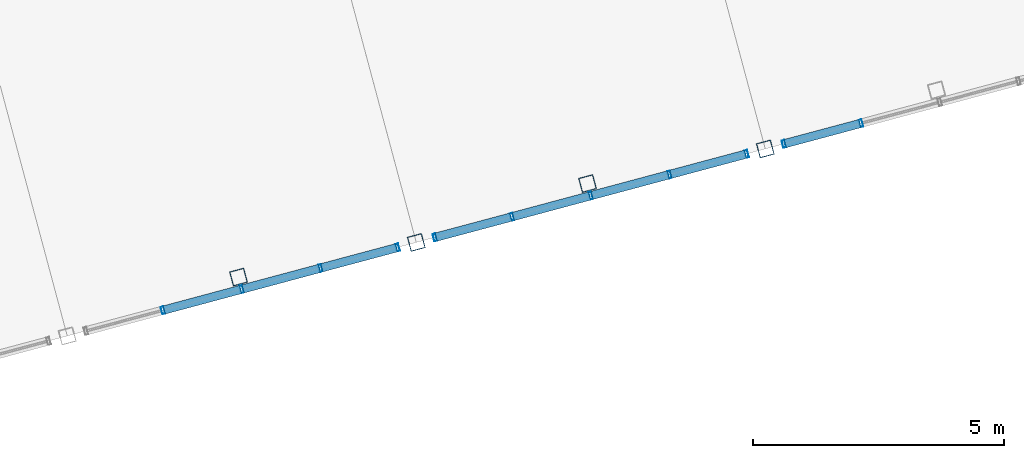
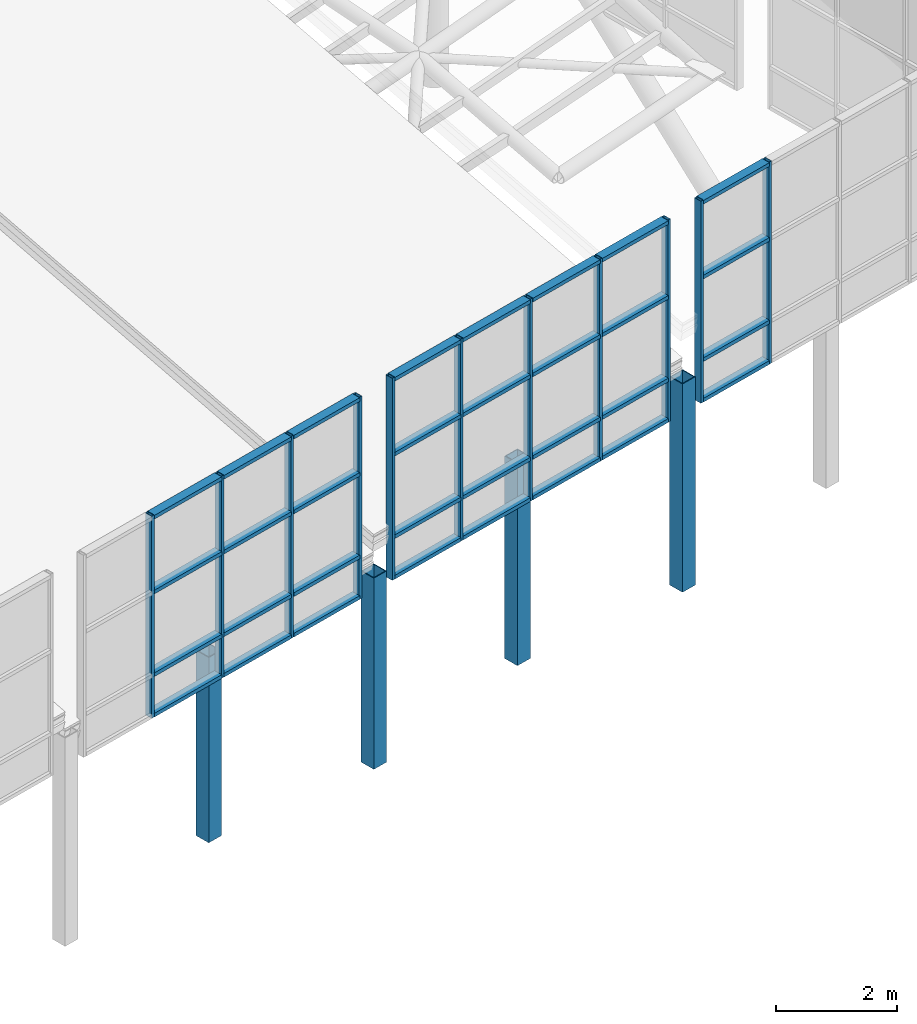
# One storey, part 13 of 28: 47 members, 3 elements without a shape of their own.
"""IFC4 building model written with IfcOpenShell, lengths in metres."""

from ifc_helpers import new_model, si_unit, direction, frame, origin, origin_2d, place, context, subcontext, project, spatial, hollow_rectangle, extrude, material, layer, layer_set, material_profile, profile_set, type_object, element, aggregate, save


model = new_model("IFC4")

# Units and contexts
model_context = context("Model", 3, precision=1e-05, world=origin(), true_north=direction((0.0, 1.0)))
body_context = subcontext(model_context, "Body", "Model", "MODEL_VIEW")
ifc_project = project(units=[si_unit("LENGTHUNIT", "METRE"), si_unit("AREAUNIT", "SQUARE_METRE"), si_unit("VOLUMEUNIT", "CUBIC_METRE"), si_unit("PLANEANGLEUNIT", "RADIAN"), si_unit("MASSUNIT", "GRAM", prefix="KILO")], contexts=[model_context])

# Site, building, storey
site_placement = place(None, origin())
site = spatial("IfcSite", under=ifc_project, at=site_placement, CompositionType="ELEMENT")
building_placement = place(site_placement, origin())
building = spatial("IfcBuilding", under=site, at=building_placement, Name="Ventoquebrada Cableway Terminal", CompositionType="ELEMENT")
storey_placement = place(building_placement, frame((0.0, 0.0, 23.39990234375)))
storey = spatial("IfcBuildingStorey", under=building, at=storey_placement, Name="RF", CompositionType="ELEMENT", Elevation=23.39990234375)

# Curtain wall, members
ifc_material_1 = material(Name="Anodized thermally-broken aluminium", Category="aluminium")
ifc_layer = layer(ifc_material_1, 0.159912109375)
ifc_layer_set = layer_set([ifc_layer], Name="Anodized thermally-broken aluminium")
curtain_wall_type = type_object("IfcCurtainWallType", Name="CW-T48", PredefinedType="USERDEFINED", material=ifc_layer_set)
curtain_wall_1_placement = place(storey_placement, origin())
curtain_wall_1 = element("IfcCurtainWall", 1, at=curtain_wall_1_placement, inside=storey, type_object=curtain_wall_type, Name="Unitised glazed curtain wall CW-153", ObjectType="UNITISED CURTAIN WALL", PredefinedType="USERDEFINED")
ifc_material_profile_1 = material_profile(ifc_material_1, hollow_rectangle(XDim=0.06005859375, YDim=0.14990234375, WallThickness=0.00390625, at=origin_2d()), Name="CW-MUL-60X150")
ifc_profile_set_1 = profile_set([ifc_material_profile_1], Name="Anodized thermally-broken aluminium")
member_type_1 = type_object("IfcMemberType", Name="CWM-03", PredefinedType="MULLION", material=ifc_profile_set_1)
member_1_placement = place(storey_placement, frame((67.794921875, 74.02294921875, -0.06298828125), z_axis=(0.0, 0.0, 1.0), x_axis=(0.965943892913, 0.258751610128, 0.0)))
member_1 = element("IfcMember", 2, at=member_1_placement, type_object=member_type_1, Name="Curtain wall mullion FML-0743", PredefinedType="MULLION", context=body_context, shape_type="SweptSolid", body=[
    extrude(hollow_rectangle(XDim=0.06005859375, YDim=0.14990234375, WallThickness=0.00390625, at=origin_2d()), origin(), (0.0, 0.0, 1.0), 4.068115234375),
])
member_2_placement = place(storey_placement, frame((69.364013671875, 74.443115234375, -0.06298828125), z_axis=(0.0, 0.0, 1.0), x_axis=(0.965943892913, 0.258751610128, 0.0)))
member_2 = element("IfcMember", 3, at=member_2_placement, type_object=member_type_1, Name="Curtain wall mullion FML-0744", PredefinedType="MULLION", context=body_context, shape_type="SweptSolid", body=[
    extrude(hollow_rectangle(XDim=0.06005859375, YDim=0.14990234375, WallThickness=0.00390625, at=origin_2d()), origin(), (0.0, 0.0, 1.0), 4.068115234375),
])
member_3_placement = place(storey_placement, frame((70.93408203125, 74.864013671875, -0.06298828125), z_axis=(0.0, 0.0, 1.0), x_axis=(0.965943892913, 0.258751610128, 0.0)))
member_3 = element("IfcMember", 4, at=member_3_placement, type_object=member_type_1, Name="Curtain wall mullion FML-0745", PredefinedType="MULLION", context=body_context, shape_type="SweptSolid", body=[
    extrude(hollow_rectangle(XDim=0.06005859375, YDim=0.14990234375, WallThickness=0.00390625, at=origin_2d()), origin(), (0.0, 0.0, 1.0), 4.068115234375),
])
member_4_placement = place(storey_placement, frame((72.469970703125, 75.27490234375, -0.06298828125), z_axis=(0.0, 0.0, 1.0), x_axis=(0.965943892913, 0.258751610128, 0.0)))
member_4 = element("IfcMember", 5, at=member_4_placement, type_object=member_type_1, Name="Curtain wall mullion FML-0746", PredefinedType="MULLION", context=body_context, shape_type="SweptSolid", body=[
    extrude(hollow_rectangle(XDim=0.06005859375, YDim=0.14990234375, WallThickness=0.00390625, at=origin_2d()), origin(), (0.0, 0.0, 1.0), 4.068115234375),
])

curtain_wall_2_placement = place(storey_placement, origin())
curtain_wall_2 = element("IfcCurtainWall", 6, at=curtain_wall_2_placement, inside=storey, type_object=curtain_wall_type, Name="Unitised glazed curtain wall CW-154", ObjectType="UNITISED CURTAIN WALL", PredefinedType="USERDEFINED")
member_5_placement = place(storey_placement, frame((73.214111328125, 75.47412109375, -0.06298828125), z_axis=(0.0, 0.0, 1.0), x_axis=(0.965903236389, 0.258903337047, 0.0)))
member_5 = element("IfcMember", 7, at=member_5_placement, type_object=member_type_1, Name="Curtain wall mullion FML-0747", PredefinedType="MULLION", context=body_context, shape_type="SweptSolid", body=[
    extrude(hollow_rectangle(XDim=0.06005859375, YDim=0.14990234375, WallThickness=0.00390625, at=origin_2d()), origin(), (0.0, 0.0, 1.0), 4.068115234375),
])
member_6_placement = place(storey_placement, frame((74.75, 75.885986328125, -0.06298828125), z_axis=(0.0, 0.0, 1.0), x_axis=(0.965903236389, 0.258903337047, 0.0)))
member_6 = element("IfcMember", 8, at=member_6_placement, type_object=member_type_1, Name="Curtain wall mullion FML-0748", PredefinedType="MULLION", context=body_context, shape_type="SweptSolid", body=[
    extrude(hollow_rectangle(XDim=0.06005859375, YDim=0.14990234375, WallThickness=0.00390625, at=origin_2d()), origin(), (0.0, 0.0, 1.0), 4.068115234375),
])
member_7_placement = place(storey_placement, frame((76.320068359375, 76.305908203125, -0.06298828125), z_axis=(0.0, 0.0, 1.0), x_axis=(0.965903236389, 0.258903337047, 0.0)))
member_7 = element("IfcMember", 9, at=member_7_placement, type_object=member_type_1, Name="Curtain wall mullion FML-0749", PredefinedType="MULLION", context=body_context, shape_type="SweptSolid", body=[
    extrude(hollow_rectangle(XDim=0.06005859375, YDim=0.14990234375, WallThickness=0.00390625, at=origin_2d()), origin(), (0.0, 0.0, 1.0), 4.068115234375),
])
member_8_placement = place(storey_placement, frame((77.888916015625, 76.72705078125, -0.06298828125), z_axis=(0.0, 0.0, 1.0), x_axis=(0.965903236389, 0.258903337047, 0.0)))
member_8 = element("IfcMember", 10, at=member_8_placement, type_object=member_type_1, Name="Curtain wall mullion FML-0750", PredefinedType="MULLION", context=body_context, shape_type="SweptSolid", body=[
    extrude(hollow_rectangle(XDim=0.06005859375, YDim=0.14990234375, WallThickness=0.00390625, at=origin_2d()), origin(), (0.0, 0.0, 1.0), 4.068115234375),
])
member_9_placement = place(storey_placement, frame((79.425048828125, 77.138916015625, -0.06298828125), z_axis=(0.0, 0.0, 1.0), x_axis=(0.965903236389, 0.258903337047, 0.0)))
member_9 = element("IfcMember", 11, at=member_9_placement, type_object=member_type_1, Name="Curtain wall mullion FML-0751", PredefinedType="MULLION", context=body_context, shape_type="SweptSolid", body=[
    extrude(hollow_rectangle(XDim=0.06005859375, YDim=0.14990234375, WallThickness=0.00390625, at=origin_2d()), origin(), (0.0, 0.0, 1.0), 4.068115234375),
])

curtain_wall_3_placement = place(storey_placement, origin())
curtain_wall_3 = element("IfcCurtainWall", 12, at=curtain_wall_3_placement, inside=storey, type_object=curtain_wall_type, Name="Unitised glazed curtain wall CW-155", ObjectType="UNITISED CURTAIN WALL", PredefinedType="USERDEFINED")
member_10_placement = place(storey_placement, frame((80.1689453125, 77.337890625, -0.06298828125), z_axis=(0.0, 0.0, 1.0), x_axis=(0.96593486019, 0.258785327773, 0.0)))
member_10 = element("IfcMember", 13, at=member_10_placement, type_object=member_type_1, Name="Curtain wall mullion FML-0752", PredefinedType="MULLION", context=body_context, shape_type="SweptSolid", body=[
    extrude(hollow_rectangle(XDim=0.06005859375, YDim=0.14990234375, WallThickness=0.00390625, at=origin_2d()), origin(), (0.0, 0.0, 1.0), 4.068115234375),
])
member_11_placement = place(storey_placement, frame((81.7041015625, 77.7490234375, -0.06298828125), z_axis=(0.0, 0.0, 1.0), x_axis=(0.96593486019, 0.258785327773, 0.0)))
member_11 = element("IfcMember", 14, at=member_11_placement, type_object=member_type_1, Name="Curtain wall mullion FML-0753", PredefinedType="MULLION", context=body_context, shape_type="SweptSolid", body=[
    extrude(hollow_rectangle(XDim=0.06005859375, YDim=0.14990234375, WallThickness=0.00390625, at=origin_2d()), origin(), (0.0, 0.0, 1.0), 4.068115234375),
])

# Member
ifc_material_profile_2 = material_profile(ifc_material_1, hollow_rectangle(XDim=0.074951171875, YDim=0.169921875, WallThickness=0.00439453125, at=origin_2d()), Name="CW-TRN-75X170")
ifc_profile_set_2 = profile_set([ifc_material_profile_2], Name="Anodized thermally-broken aluminium")
member_type_2 = type_object("IfcMemberType", Name="CWT-03", PredefinedType="USERDEFINED", material=ifc_profile_set_2)
member_12_placement = place(storey_placement, frame((67.819091796875, 74.029052734375, -0.02001953125), z_axis=(0.965860816082, 0.259061544731, 0.0), x_axis=(0.0, 0.0, 1.0)))
member_12 = element("IfcMember", 15, at=member_12_placement, type_object=member_type_2, Name="Curtain wall transom FTR-2160", ObjectType="TRANSOM", PredefinedType="USERDEFINED", context=body_context, shape_type="SweptSolid", body=[
    extrude(hollow_rectangle(XDim=0.074951171875, YDim=0.169921875, WallThickness=0.00439453125, at=origin_2d()), origin(), (0.0, 0.0, 1.0), 1.57470703125),
])

member_13_placement = place(storey_placement, frame((67.819091796875, 74.029052734375, 0.795166015625), z_axis=(0.965860816082, 0.259061544731, 0.0), x_axis=(0.0, 0.0, 1.0)))
member_13 = element("IfcMember", 16, at=member_13_placement, type_object=member_type_2, Name="Curtain wall transom FTR-2161", ObjectType="TRANSOM", PredefinedType="USERDEFINED", context=body_context, shape_type="SweptSolid", body=[
    extrude(hollow_rectangle(XDim=0.074951171875, YDim=0.169921875, WallThickness=0.00439453125, at=origin_2d()), origin(), (0.0, 0.0, 1.0), 1.57470703125),
])

member_14_placement = place(storey_placement, frame((67.819091796875, 74.029052734375, 2.458984375), z_axis=(0.965860816082, 0.259061544731, 0.0), x_axis=(0.0, 0.0, 1.0)))
member_14 = element("IfcMember", 17, at=member_14_placement, type_object=member_type_2, Name="Curtain wall transom FTR-2162", ObjectType="TRANSOM", PredefinedType="USERDEFINED", context=body_context, shape_type="SweptSolid", body=[
    extrude(hollow_rectangle(XDim=0.074951171875, YDim=0.169921875, WallThickness=0.00439453125, at=origin_2d()), origin(), (0.0, 0.0, 1.0), 1.57470703125),
])

member_15_placement = place(storey_placement, frame((67.819091796875, 74.029052734375, 3.965087890625), z_axis=(0.965860816082, 0.259061544731, 0.0), x_axis=(0.0, 0.0, 1.0)))
member_15 = element("IfcMember", 18, at=member_15_placement, type_object=member_type_2, Name="Curtain wall transom FTR-2163", ObjectType="TRANSOM", PredefinedType="USERDEFINED", context=body_context, shape_type="SweptSolid", body=[
    extrude(hollow_rectangle(XDim=0.074951171875, YDim=0.169921875, WallThickness=0.00439453125, at=origin_2d()), origin(), (0.0, 0.0, 1.0), 1.57470703125),
])

member_16_placement = place(storey_placement, frame((69.388916015625, 74.448974609375, -0.02001953125), z_axis=(0.965860816082, 0.259061544731, 0.0), x_axis=(0.0, 0.0, 1.0)))
member_16 = element("IfcMember", 19, at=member_16_placement, type_object=member_type_2, Name="Curtain wall transom FTR-2164", ObjectType="TRANSOM", PredefinedType="USERDEFINED", context=body_context, shape_type="SweptSolid", body=[
    extrude(hollow_rectangle(XDim=0.074951171875, YDim=0.169921875, WallThickness=0.00439453125, at=origin_2d()), origin(), (0.0, 0.0, 1.0), 1.57470703125),
])

member_17_placement = place(storey_placement, frame((69.388916015625, 74.448974609375, 0.795166015625), z_axis=(0.965860816082, 0.259061544731, 0.0), x_axis=(0.0, 0.0, 1.0)))
member_17 = element("IfcMember", 20, at=member_17_placement, type_object=member_type_2, Name="Curtain wall transom FTR-2165", ObjectType="TRANSOM", PredefinedType="USERDEFINED", context=body_context, shape_type="SweptSolid", body=[
    extrude(hollow_rectangle(XDim=0.074951171875, YDim=0.169921875, WallThickness=0.00439453125, at=origin_2d()), origin(), (0.0, 0.0, 1.0), 1.57470703125),
])

member_18_placement = place(storey_placement, frame((69.388916015625, 74.448974609375, 2.458984375), z_axis=(0.965860816082, 0.259061544731, 0.0), x_axis=(0.0, 0.0, 1.0)))
member_18 = element("IfcMember", 21, at=member_18_placement, type_object=member_type_2, Name="Curtain wall transom FTR-2166", ObjectType="TRANSOM", PredefinedType="USERDEFINED", context=body_context, shape_type="SweptSolid", body=[
    extrude(hollow_rectangle(XDim=0.074951171875, YDim=0.169921875, WallThickness=0.00439453125, at=origin_2d()), origin(), (0.0, 0.0, 1.0), 1.57470703125),
])

member_19_placement = place(storey_placement, frame((69.388916015625, 74.448974609375, 3.965087890625), z_axis=(0.965860816082, 0.259061544731, 0.0), x_axis=(0.0, 0.0, 1.0)))
member_19 = element("IfcMember", 22, at=member_19_placement, type_object=member_type_2, Name="Curtain wall transom FTR-2167", ObjectType="TRANSOM", PredefinedType="USERDEFINED", context=body_context, shape_type="SweptSolid", body=[
    extrude(hollow_rectangle(XDim=0.074951171875, YDim=0.169921875, WallThickness=0.00439453125, at=origin_2d()), origin(), (0.0, 0.0, 1.0), 1.57470703125),
])

member_20_placement = place(storey_placement, frame((70.9580078125, 74.8701171875, -0.02001953125), z_axis=(0.966050544784, 0.25835313995, 0.0), x_axis=(0.0, 0.0, 1.0)))
member_20 = element("IfcMember", 23, at=member_20_placement, type_object=member_type_2, Name="Curtain wall transom FTR-2168", ObjectType="TRANSOM", PredefinedType="USERDEFINED", context=body_context, shape_type="SweptSolid", body=[
    extrude(hollow_rectangle(XDim=0.074951171875, YDim=0.169921875, WallThickness=0.00439453125, at=origin_2d()), origin(), (0.0, 0.0, 1.0), 1.540283203125),
])

member_21_placement = place(storey_placement, frame((70.9580078125, 74.8701171875, 0.795166015625), z_axis=(0.966050544784, 0.25835313995, 0.0), x_axis=(0.0, 0.0, 1.0)))
member_21 = element("IfcMember", 24, at=member_21_placement, type_object=member_type_2, Name="Curtain wall transom FTR-2169", ObjectType="TRANSOM", PredefinedType="USERDEFINED", context=body_context, shape_type="SweptSolid", body=[
    extrude(hollow_rectangle(XDim=0.074951171875, YDim=0.169921875, WallThickness=0.00439453125, at=origin_2d()), origin(), (0.0, 0.0, 1.0), 1.540283203125),
])

member_22_placement = place(storey_placement, frame((70.9580078125, 74.8701171875, 2.458984375), z_axis=(0.966050544784, 0.25835313995, 0.0), x_axis=(0.0, 0.0, 1.0)))
member_22 = element("IfcMember", 25, at=member_22_placement, type_object=member_type_2, Name="Curtain wall transom FTR-2170", ObjectType="TRANSOM", PredefinedType="USERDEFINED", context=body_context, shape_type="SweptSolid", body=[
    extrude(hollow_rectangle(XDim=0.074951171875, YDim=0.169921875, WallThickness=0.00439453125, at=origin_2d()), origin(), (0.0, 0.0, 1.0), 1.540283203125),
])

member_23_placement = place(storey_placement, frame((70.9580078125, 74.8701171875, 3.965087890625), z_axis=(0.966050544784, 0.25835313995, 0.0), x_axis=(0.0, 0.0, 1.0)))
member_23 = element("IfcMember", 26, at=member_23_placement, type_object=member_type_2, Name="Curtain wall transom FTR-2171", ObjectType="TRANSOM", PredefinedType="USERDEFINED", context=body_context, shape_type="SweptSolid", body=[
    extrude(hollow_rectangle(XDim=0.074951171875, YDim=0.169921875, WallThickness=0.00439453125, at=origin_2d()), origin(), (0.0, 0.0, 1.0), 1.540283203125),
])

aggregate(curtain_wall_1, [member_1, member_2, member_3, member_4, member_12, member_13, member_14, member_15, member_16, member_17, member_18, member_19, member_20, member_21, member_22, member_23])

member_24_placement = place(storey_placement, frame((73.238037109375, 75.48095703125, -0.02001953125), z_axis=(0.966050544784, 0.25835313995, 0.0), x_axis=(0.0, 0.0, 1.0)))
member_24 = element("IfcMember", 27, at=member_24_placement, type_object=member_type_2, Name="Curtain wall transom FTR-2172", ObjectType="TRANSOM", PredefinedType="USERDEFINED", context=body_context, shape_type="SweptSolid", body=[
    extrude(hollow_rectangle(XDim=0.074951171875, YDim=0.169921875, WallThickness=0.00439453125, at=origin_2d()), origin(), (0.0, 0.0, 1.0), 1.540283203125),
])

member_25_placement = place(storey_placement, frame((73.238037109375, 75.48095703125, 0.795166015625), z_axis=(0.966050544784, 0.25835313995, 0.0), x_axis=(0.0, 0.0, 1.0)))
member_25 = element("IfcMember", 28, at=member_25_placement, type_object=member_type_2, Name="Curtain wall transom FTR-2173", ObjectType="TRANSOM", PredefinedType="USERDEFINED", context=body_context, shape_type="SweptSolid", body=[
    extrude(hollow_rectangle(XDim=0.074951171875, YDim=0.169921875, WallThickness=0.00439453125, at=origin_2d()), origin(), (0.0, 0.0, 1.0), 1.540283203125),
])

member_26_placement = place(storey_placement, frame((73.238037109375, 75.48095703125, 2.458984375), z_axis=(0.966050544784, 0.25835313995, 0.0), x_axis=(0.0, 0.0, 1.0)))
member_26 = element("IfcMember", 29, at=member_26_placement, type_object=member_type_2, Name="Curtain wall transom FTR-2174", ObjectType="TRANSOM", PredefinedType="USERDEFINED", context=body_context, shape_type="SweptSolid", body=[
    extrude(hollow_rectangle(XDim=0.074951171875, YDim=0.169921875, WallThickness=0.00439453125, at=origin_2d()), origin(), (0.0, 0.0, 1.0), 1.540283203125),
])

member_27_placement = place(storey_placement, frame((73.238037109375, 75.48095703125, 3.965087890625), z_axis=(0.966050544784, 0.25835313995, 0.0), x_axis=(0.0, 0.0, 1.0)))
member_27 = element("IfcMember", 30, at=member_27_placement, type_object=member_type_2, Name="Curtain wall transom FTR-2175", ObjectType="TRANSOM", PredefinedType="USERDEFINED", context=body_context, shape_type="SweptSolid", body=[
    extrude(hollow_rectangle(XDim=0.074951171875, YDim=0.169921875, WallThickness=0.00439453125, at=origin_2d()), origin(), (0.0, 0.0, 1.0), 1.540283203125),
])

member_28_placement = place(storey_placement, frame((74.77392578125, 75.89208984375, -0.02001953125), z_axis=(0.965860816082, 0.259061544731, 0.0), x_axis=(0.0, 0.0, 1.0)))
member_28 = element("IfcMember", 31, at=member_28_placement, type_object=member_type_2, Name="Curtain wall transom FTR-2176", ObjectType="TRANSOM", PredefinedType="USERDEFINED", context=body_context, shape_type="SweptSolid", body=[
    extrude(hollow_rectangle(XDim=0.074951171875, YDim=0.169921875, WallThickness=0.00439453125, at=origin_2d()), origin(), (0.0, 0.0, 1.0), 1.57470703125),
])

member_29_placement = place(storey_placement, frame((74.77392578125, 75.89208984375, 0.795166015625), z_axis=(0.965860816082, 0.259061544731, 0.0), x_axis=(0.0, 0.0, 1.0)))
member_29 = element("IfcMember", 32, at=member_29_placement, type_object=member_type_2, Name="Curtain wall transom FTR-2177", ObjectType="TRANSOM", PredefinedType="USERDEFINED", context=body_context, shape_type="SweptSolid", body=[
    extrude(hollow_rectangle(XDim=0.074951171875, YDim=0.169921875, WallThickness=0.00439453125, at=origin_2d()), origin(), (0.0, 0.0, 1.0), 1.57470703125),
])

member_30_placement = place(storey_placement, frame((74.77392578125, 75.89208984375, 2.458984375), z_axis=(0.965860816082, 0.259061544731, 0.0), x_axis=(0.0, 0.0, 1.0)))
member_30 = element("IfcMember", 33, at=member_30_placement, type_object=member_type_2, Name="Curtain wall transom FTR-2178", ObjectType="TRANSOM", PredefinedType="USERDEFINED", context=body_context, shape_type="SweptSolid", body=[
    extrude(hollow_rectangle(XDim=0.074951171875, YDim=0.169921875, WallThickness=0.00439453125, at=origin_2d()), origin(), (0.0, 0.0, 1.0), 1.57470703125),
])

member_31_placement = place(storey_placement, frame((74.77392578125, 75.89208984375, 3.965087890625), z_axis=(0.965860816082, 0.259061544731, 0.0), x_axis=(0.0, 0.0, 1.0)))
member_31 = element("IfcMember", 34, at=member_31_placement, type_object=member_type_2, Name="Curtain wall transom FTR-2179", ObjectType="TRANSOM", PredefinedType="USERDEFINED", context=body_context, shape_type="SweptSolid", body=[
    extrude(hollow_rectangle(XDim=0.074951171875, YDim=0.169921875, WallThickness=0.00439453125, at=origin_2d()), origin(), (0.0, 0.0, 1.0), 1.57470703125),
])

member_32_placement = place(storey_placement, frame((76.343994140625, 76.31298828125, -0.02001953125), z_axis=(0.965860816082, 0.259061544731, 0.0), x_axis=(0.0, 0.0, 1.0)))
member_32 = element("IfcMember", 35, at=member_32_placement, type_object=member_type_2, Name="Curtain wall transom FTR-2180", ObjectType="TRANSOM", PredefinedType="USERDEFINED", context=body_context, shape_type="SweptSolid", body=[
    extrude(hollow_rectangle(XDim=0.074951171875, YDim=0.169921875, WallThickness=0.00439453125, at=origin_2d()), origin(), (0.0, 0.0, 1.0), 1.57470703125),
])

member_33_placement = place(storey_placement, frame((76.343994140625, 76.31298828125, 0.795166015625), z_axis=(0.965860816082, 0.259061544731, 0.0), x_axis=(0.0, 0.0, 1.0)))
member_33 = element("IfcMember", 36, at=member_33_placement, type_object=member_type_2, Name="Curtain wall transom FTR-2181", ObjectType="TRANSOM", PredefinedType="USERDEFINED", context=body_context, shape_type="SweptSolid", body=[
    extrude(hollow_rectangle(XDim=0.074951171875, YDim=0.169921875, WallThickness=0.00439453125, at=origin_2d()), origin(), (0.0, 0.0, 1.0), 1.57470703125),
])

member_34_placement = place(storey_placement, frame((76.343994140625, 76.31298828125, 2.458984375), z_axis=(0.965860816082, 0.259061544731, 0.0), x_axis=(0.0, 0.0, 1.0)))
member_34 = element("IfcMember", 37, at=member_34_placement, type_object=member_type_2, Name="Curtain wall transom FTR-2182", ObjectType="TRANSOM", PredefinedType="USERDEFINED", context=body_context, shape_type="SweptSolid", body=[
    extrude(hollow_rectangle(XDim=0.074951171875, YDim=0.169921875, WallThickness=0.00439453125, at=origin_2d()), origin(), (0.0, 0.0, 1.0), 1.57470703125),
])

member_35_placement = place(storey_placement, frame((76.343994140625, 76.31298828125, 3.965087890625), z_axis=(0.965860816082, 0.259061544731, 0.0), x_axis=(0.0, 0.0, 1.0)))
member_35 = element("IfcMember", 38, at=member_35_placement, type_object=member_type_2, Name="Curtain wall transom FTR-2183", ObjectType="TRANSOM", PredefinedType="USERDEFINED", context=body_context, shape_type="SweptSolid", body=[
    extrude(hollow_rectangle(XDim=0.074951171875, YDim=0.169921875, WallThickness=0.00439453125, at=origin_2d()), origin(), (0.0, 0.0, 1.0), 1.57470703125),
])

member_36_placement = place(storey_placement, frame((77.9130859375, 76.73388671875, -0.02001953125), z_axis=(0.966000383253, 0.258540634244, 0.0), x_axis=(0.0, 0.0, 1.0)))
member_36 = element("IfcMember", 39, at=member_36_placement, type_object=member_type_2, Name="Curtain wall transom FTR-2184", ObjectType="TRANSOM", PredefinedType="USERDEFINED", context=body_context, shape_type="SweptSolid", body=[
    extrude(hollow_rectangle(XDim=0.074951171875, YDim=0.169921875, WallThickness=0.00439453125, at=origin_2d()), origin(), (0.0, 0.0, 1.0), 1.5400390625),
])

member_37_placement = place(storey_placement, frame((77.9130859375, 76.73388671875, 0.795166015625), z_axis=(0.966000383253, 0.258540634244, 0.0), x_axis=(0.0, 0.0, 1.0)))
member_37 = element("IfcMember", 40, at=member_37_placement, type_object=member_type_2, Name="Curtain wall transom FTR-2185", ObjectType="TRANSOM", PredefinedType="USERDEFINED", context=body_context, shape_type="SweptSolid", body=[
    extrude(hollow_rectangle(XDim=0.074951171875, YDim=0.169921875, WallThickness=0.00439453125, at=origin_2d()), origin(), (0.0, 0.0, 1.0), 1.5400390625),
])

member_38_placement = place(storey_placement, frame((77.9130859375, 76.73388671875, 2.458984375), z_axis=(0.966000383253, 0.258540634244, 0.0), x_axis=(0.0, 0.0, 1.0)))
member_38 = element("IfcMember", 41, at=member_38_placement, type_object=member_type_2, Name="Curtain wall transom FTR-2186", ObjectType="TRANSOM", PredefinedType="USERDEFINED", context=body_context, shape_type="SweptSolid", body=[
    extrude(hollow_rectangle(XDim=0.074951171875, YDim=0.169921875, WallThickness=0.00439453125, at=origin_2d()), origin(), (0.0, 0.0, 1.0), 1.5400390625),
])

member_39_placement = place(storey_placement, frame((77.9130859375, 76.73388671875, 3.965087890625), z_axis=(0.966000383253, 0.258540634244, 0.0), x_axis=(0.0, 0.0, 1.0)))
member_39 = element("IfcMember", 42, at=member_39_placement, type_object=member_type_2, Name="Curtain wall transom FTR-2187", ObjectType="TRANSOM", PredefinedType="USERDEFINED", context=body_context, shape_type="SweptSolid", body=[
    extrude(hollow_rectangle(XDim=0.074951171875, YDim=0.169921875, WallThickness=0.00439453125, at=origin_2d()), origin(), (0.0, 0.0, 1.0), 1.5400390625),
])

aggregate(curtain_wall_2, [member_5, member_6, member_7, member_8, member_9, member_24, member_25, member_26, member_27, member_28, member_29, member_30, member_31, member_32, member_33, member_34, member_35, member_36, member_37, member_38, member_39])

member_40_placement = place(storey_placement, frame((80.193115234375, 77.344970703125, -0.02001953125), z_axis=(0.965997587881, 0.25855107853, 0.0), x_axis=(0.0, 0.0, 1.0)))
member_40 = element("IfcMember", 43, at=member_40_placement, type_object=member_type_2, Name="Curtain wall transom FTR-2188", ObjectType="TRANSOM", PredefinedType="USERDEFINED", context=body_context, shape_type="SweptSolid", body=[
    extrude(hollow_rectangle(XDim=0.074951171875, YDim=0.169921875, WallThickness=0.00439453125, at=origin_2d()), origin(), (0.0, 0.0, 1.0), 1.5390625),
])

member_41_placement = place(storey_placement, frame((80.193115234375, 77.344970703125, 0.795166015625), z_axis=(0.965997587881, 0.25855107853, 0.0), x_axis=(0.0, 0.0, 1.0)))
member_41 = element("IfcMember", 44, at=member_41_placement, type_object=member_type_2, Name="Curtain wall transom FTR-2189", ObjectType="TRANSOM", PredefinedType="USERDEFINED", context=body_context, shape_type="SweptSolid", body=[
    extrude(hollow_rectangle(XDim=0.074951171875, YDim=0.169921875, WallThickness=0.00439453125, at=origin_2d()), origin(), (0.0, 0.0, 1.0), 1.5390625),
])

member_42_placement = place(storey_placement, frame((80.193115234375, 77.344970703125, 2.458984375), z_axis=(0.965997587881, 0.25855107853, 0.0), x_axis=(0.0, 0.0, 1.0)))
member_42 = element("IfcMember", 45, at=member_42_placement, type_object=member_type_2, Name="Curtain wall transom FTR-2190", ObjectType="TRANSOM", PredefinedType="USERDEFINED", context=body_context, shape_type="SweptSolid", body=[
    extrude(hollow_rectangle(XDim=0.074951171875, YDim=0.169921875, WallThickness=0.00439453125, at=origin_2d()), origin(), (0.0, 0.0, 1.0), 1.5390625),
])

member_43_placement = place(storey_placement, frame((80.193115234375, 77.344970703125, 3.965087890625), z_axis=(0.965997587881, 0.25855107853, 0.0), x_axis=(0.0, 0.0, 1.0)))
member_43 = element("IfcMember", 46, at=member_43_placement, type_object=member_type_2, Name="Curtain wall transom FTR-2191", ObjectType="TRANSOM", PredefinedType="USERDEFINED", context=body_context, shape_type="SweptSolid", body=[
    extrude(hollow_rectangle(XDim=0.074951171875, YDim=0.169921875, WallThickness=0.00439453125, at=origin_2d()), origin(), (0.0, 0.0, 1.0), 1.5390625),
])

aggregate(curtain_wall_3, [member_10, member_11, member_40, member_41, member_42, member_43])

# Members
ifc_material_2 = material(Name="Steel ASTM A500 Grade C", Category="steel")
ifc_material_profile_3 = material_profile(ifc_material_2, hollow_rectangle(XDim=0.300048828125, YDim=0.300048828125, WallThickness=0.01611328125, at=origin_2d()), Name="HSS300X300X16")
ifc_profile_set_3 = profile_set([ifc_material_profile_3], Name="Steel ASTM A500 Grade C")
member_type_3 = type_object("IfcMemberType", Name="PST-GS01", PredefinedType="STRUT", material=ifc_profile_set_3)
member_44_placement = place(storey_placement, frame((69.300048828125, 74.68408203125, -3.39990234375), z_axis=(0.0, 0.0, 1.0), x_axis=(0.965925826289, 0.258819045103, 0.0)))
element("IfcMember", 47, at=member_44_placement, inside=storey, type_object=member_type_3, Name="Gridshell eaves support post PS-0452", PredefinedType="STRUT", context=body_context, shape_type="SweptSolid", body=[
    extrude(hollow_rectangle(XDim=0.300048828125, YDim=0.300048828125, WallThickness=0.01611328125, at=origin_2d()), origin(), (0.0, 0.0, 1.0), 3.72998046875),
])
member_45_placement = place(storey_placement, frame((76.2548828125, 76.548095703125, -3.39990234375), z_axis=(0.0, 0.0, 1.0), x_axis=(0.965925826289, 0.258819045103, 0.0)))
element("IfcMember", 48, at=member_45_placement, inside=storey, type_object=member_type_3, Name="Gridshell eaves support post PS-0457", PredefinedType="STRUT", context=body_context, shape_type="SweptSolid", body=[
    extrude(hollow_rectangle(XDim=0.300048828125, YDim=0.300048828125, WallThickness=0.01611328125, at=origin_2d()), origin(), (0.0, 0.0, 1.0), 4.075927734375),
])
ifc_material_profile_4 = material_profile(ifc_material_2, hollow_rectangle(XDim=0.300048828125, YDim=0.300048828125, WallThickness=0.01611328125, at=origin_2d()), Name="HSS300X300X16")
ifc_profile_set_4 = profile_set([ifc_material_profile_4], Name="Steel ASTM A500 Grade C")
member_type_4 = type_object("IfcMemberType", Name="STR-VS01", PredefinedType="STRUT", material=ifc_profile_set_4)
member_46_placement = place(storey_placement, frame((72.842041015625, 75.375, -3.579833984375), z_axis=(0.0, 0.0, 1.0), x_axis=(0.965925826289, 0.258819045103, 0.0)))
element("IfcMember", 49, at=member_46_placement, inside=storey, type_object=member_type_4, Name="Gridshell deck stand-off post GS-SP-0450", PredefinedType="STRUT", context=body_context, shape_type="SweptSolid", body=[
    extrude(hollow_rectangle(XDim=0.300048828125, YDim=0.300048828125, WallThickness=0.01611328125, at=origin_2d()), origin(), (0.0, 0.0, 1.0), 3.847900390625),
])
member_47_placement = place(storey_placement, frame((79.797119140625, 77.238037109375, -3.579833984375), z_axis=(0.0, 0.0, 1.0), x_axis=(0.965925826289, 0.258819045103, 0.0)))
element("IfcMember", 50, at=member_47_placement, inside=storey, type_object=member_type_4, Name="Gridshell deck stand-off post GS-SP-0455", PredefinedType="STRUT", context=body_context, shape_type="SweptSolid", body=[
    extrude(hollow_rectangle(XDim=0.300048828125, YDim=0.300048828125, WallThickness=0.01611328125, at=origin_2d()), origin(), (0.0, 0.0, 1.0), 4.19384765625),
])

save(model, "model.ifc")
